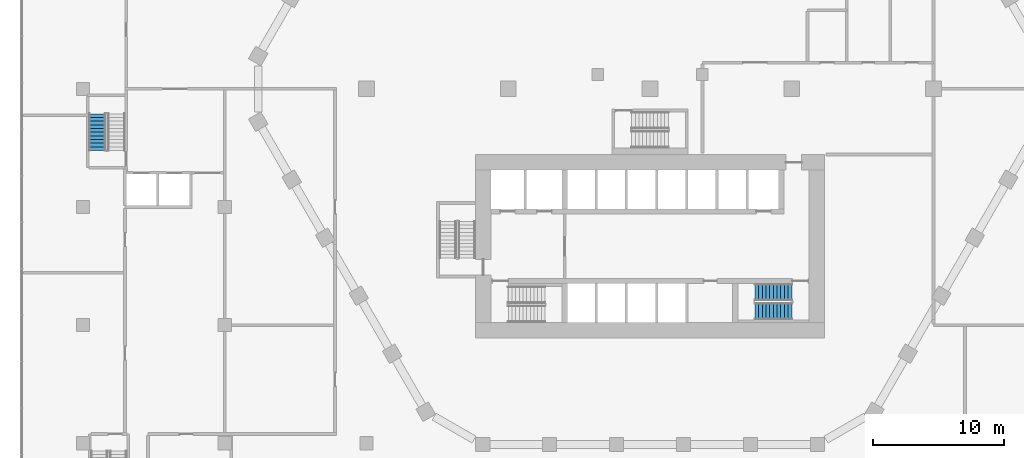
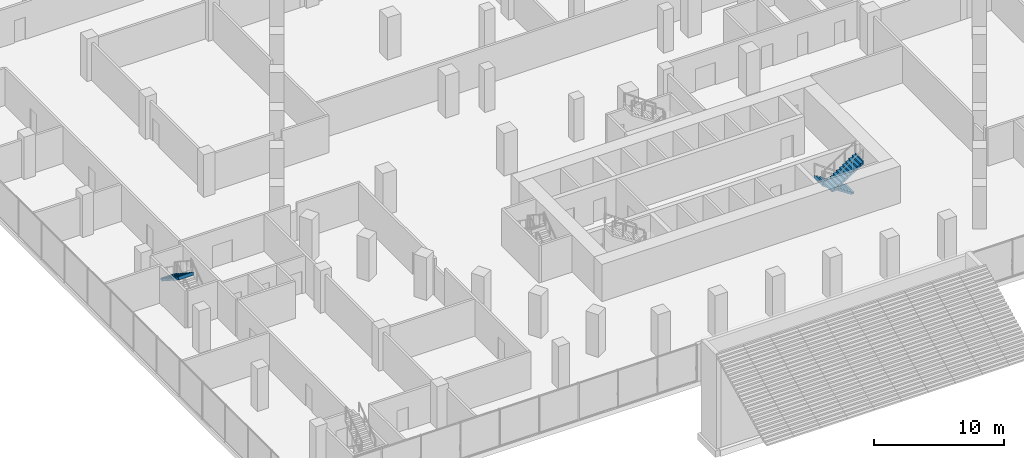
# One storey, part 34 of 45: 3 stair flights, 2 elements without a shape of their own.
"""IFC4 building model written with IfcOpenShell, lengths in metres."""

from ifc_helpers import new_model, si_unit, direction, frame, origin, place, context, subcontext, project, spatial, triangles, material, type_object, element, aggregate, save


model = new_model("IFC4")

# Units and contexts
model_context = context("Model", 3, precision=1e-05, world=origin(), true_north=direction((0.0, 1.0)))
body_context = subcontext(model_context, "Body", "Model", "MODEL_VIEW")
ifc_project = project(units=[si_unit("LENGTHUNIT", "METRE"), si_unit("AREAUNIT", "SQUARE_METRE"), si_unit("VOLUMEUNIT", "CUBIC_METRE"), si_unit("PLANEANGLEUNIT", "RADIAN"), si_unit("MASSUNIT", "GRAM", prefix="KILO")], contexts=[model_context])

# Site, building, storey
site_placement = place(None, origin())
site = spatial("IfcSite", under=ifc_project, at=site_placement, CompositionType="ELEMENT")
building_placement = place(site_placement, origin())
building = spatial("IfcBuilding", under=site, at=building_placement, Name="Beryl Residences", CompositionType="ELEMENT")
storey_placement = place(building_placement, frame((0.0, 0.0, 5.0)))
storey = spatial("IfcBuildingStorey", under=building, at=storey_placement, Name="L01", CompositionType="ELEMENT", Elevation=5.0)

# Stair, stair flight
ifc_material_1 = material(Name="Concrete C40/50", Category="concrete")
stair_type = type_object("IfcStairType", Name="ST1 protected exit stair, half-turn, 1300 mm flights", PredefinedType="HALF_TURN_STAIR", material=ifc_material_1)
stair_1_placement = place(storey_placement, origin())
stair_1 = element("IfcStair", 1, at=stair_1_placement, inside=storey, type_object=stair_type, Name="L01 Podium exit stair 6", PredefinedType="HALF_TURN_STAIR")
ifc_material_2 = material(Name="Concrete C40/50", Category="concrete")
stair_flight_type = type_object("IfcStairFlightType", Name="SF1 stair flight 1300 mm", PredefinedType="STRAIGHT", material=ifc_material_2)
stair_flight_1_placement = place(storey_placement, frame((-42.10009765625, -1.89990234375, 2.0), z_axis=(0.0, 0.0, 1.0), x_axis=(0.0, -1.0, 0.0)))
stair_flight_1 = element("IfcStairFlight", 2, at=stair_flight_1_placement, type_object=stair_flight_type, Name="PS-6 flight 2", NumberOfRisers=11, NumberOfTreads=10, PredefinedType="STRAIGHT", RiserHeight=0.181818182, TreadLength=0.28, context=body_context, shape_type="Tessellation", body=[
    triangles([(0.0, -0.64990234375, 0.0), (0.0, -0.324951171875, 0.0), (0.0, 0.0, 0.0), (0.0, 0.324951171875, 0.0), (0.0, 0.64990234375, 0.0), (0.0, -0.64990234375, 0.181884765625), (0.0, -0.324951171875, 0.181884765625), (0.0, 0.0, 0.181884765625), (0.0, 0.324951171875, 0.181884765625), (0.0, 0.64990234375, 0.181884765625), (0.280029296875, -0.64990234375, 0.181884765625), (0.280029296875, -0.324951171875, 0.181884765625), (0.280029296875, 0.0, 0.181884765625), (0.280029296875, 0.324951171875, 0.181884765625), (0.280029296875, 0.64990234375, 0.181884765625), (0.280029296875, -0.64990234375, 0.363525390625), (0.280029296875, -0.324951171875, 0.363525390625), (0.280029296875, 0.0, 0.363525390625), (0.280029296875, 0.324951171875, 0.363525390625), (0.280029296875, 0.64990234375, 0.363525390625), (0.56005859375, -0.64990234375, 0.363525390625), (0.56005859375, -0.324951171875, 0.363525390625), (0.56005859375, 0.0, 0.363525390625), (0.56005859375, 0.324951171875, 0.363525390625), (0.56005859375, 0.64990234375, 0.363525390625), (0.56005859375, -0.64990234375, 0.54541015625), (0.56005859375, -0.324951171875, 0.54541015625), (0.56005859375, 0.0, 0.54541015625), (0.56005859375, 0.324951171875, 0.54541015625), (0.56005859375, 0.64990234375, 0.54541015625), (0.840087890625, -0.64990234375, 0.54541015625), (0.840087890625, -0.324951171875, 0.54541015625), (0.840087890625, 0.0, 0.54541015625), (0.840087890625, 0.324951171875, 0.54541015625), (0.840087890625, 0.64990234375, 0.54541015625), (0.840087890625, -0.64990234375, 0.727294921875), (0.840087890625, -0.324951171875, 0.727294921875), (0.840087890625, 0.0, 0.727294921875), (0.840087890625, 0.324951171875, 0.727294921875), (0.840087890625, 0.64990234375, 0.727294921875), (1.1201171875, -0.64990234375, 0.727294921875), (1.1201171875, -0.324951171875, 0.727294921875), (1.1201171875, 0.0, 0.727294921875), (1.1201171875, 0.324951171875, 0.727294921875), (1.1201171875, 0.64990234375, 0.727294921875), (1.1201171875, -0.64990234375, 0.9091796875), (1.1201171875, -0.324951171875, 0.9091796875), (1.1201171875, 0.0, 0.9091796875), (1.1201171875, 0.324951171875, 0.9091796875), (1.1201171875, 0.64990234375, 0.9091796875), (1.39990234375, -0.64990234375, 0.9091796875), (1.39990234375, -0.324951171875, 0.9091796875), (1.39990234375, 0.0, 0.9091796875), (1.39990234375, 0.324951171875, 0.9091796875), (1.39990234375, 0.64990234375, 0.9091796875), (1.39990234375, -0.64990234375, 1.0908203125), (1.39990234375, -0.324951171875, 1.0908203125), (1.39990234375, 0.0, 1.0908203125), (1.39990234375, 0.324951171875, 1.0908203125), (1.39990234375, 0.64990234375, 1.0908203125), (1.679931640625, -0.64990234375, 1.0908203125), (1.679931640625, -0.324951171875, 1.0908203125), (1.679931640625, 0.0, 1.0908203125), (1.679931640625, 0.324951171875, 1.0908203125), (1.679931640625, 0.64990234375, 1.0908203125), (1.679931640625, -0.64990234375, 1.272705078125), (1.679931640625, -0.324951171875, 1.272705078125), (1.679931640625, 0.0, 1.272705078125), (1.679931640625, 0.324951171875, 1.272705078125), (1.679931640625, 0.64990234375, 1.272705078125), (1.9599609375, -0.64990234375, 1.272705078125), (1.9599609375, -0.324951171875, 1.272705078125), (1.9599609375, 0.0, 1.272705078125), (1.9599609375, 0.324951171875, 1.272705078125), (1.9599609375, 0.64990234375, 1.272705078125), (1.9599609375, -0.64990234375, 1.45458984375), (1.9599609375, -0.324951171875, 1.45458984375), (1.9599609375, 0.0, 1.45458984375), (1.9599609375, 0.324951171875, 1.45458984375), (1.9599609375, 0.64990234375, 1.45458984375), (2.239990234375, -0.64990234375, 1.45458984375), (2.239990234375, -0.324951171875, 1.45458984375), (2.239990234375, 0.0, 1.45458984375), (2.239990234375, 0.324951171875, 1.45458984375), (2.239990234375, 0.64990234375, 1.45458984375), (2.239990234375, -0.64990234375, 1.636474609375), (2.239990234375, -0.324951171875, 1.636474609375), (2.239990234375, 0.0, 1.636474609375), (2.239990234375, 0.324951171875, 1.636474609375), (2.239990234375, 0.64990234375, 1.636474609375), (2.52001953125, -0.64990234375, 1.636474609375), (2.52001953125, -0.324951171875, 1.636474609375), (2.52001953125, 0.0, 1.636474609375), (2.52001953125, 0.324951171875, 1.636474609375), (2.52001953125, 0.64990234375, 1.636474609375), (2.52001953125, -0.64990234375, 1.818115234375), (2.52001953125, -0.324951171875, 1.818115234375), (2.52001953125, 0.0, 1.818115234375), (2.52001953125, 0.324951171875, 1.818115234375), (2.52001953125, 0.64990234375, 1.818115234375), (2.800048828125, -0.64990234375, 1.818115234375), (2.800048828125, -0.324951171875, 1.818115234375), (2.800048828125, 0.0, 1.818115234375), (2.800048828125, 0.324951171875, 1.818115234375), (2.800048828125, 0.64990234375, 1.818115234375), (2.800048828125, -0.64990234375, 2.0), (2.800048828125, -0.324951171875, 2.0), (2.800048828125, 0.0, 2.0), (2.800048828125, 0.324951171875, 2.0), (2.800048828125, 0.64990234375, 2.0), (2.801025390625, -0.64990234375, 2.0), (2.801025390625, -0.324951171875, 2.0), (2.801025390625, 0.0, 2.0), (2.801025390625, 0.324951171875, 2.0), (2.801025390625, 0.64990234375, 2.0), (2.801025390625, -0.64990234375, 1.675048828125), (2.801025390625, -0.324951171875, 1.675048828125), (2.801025390625, 0.0, 1.675048828125), (2.801025390625, 0.324951171875, 1.675048828125), (2.801025390625, 0.64990234375, 1.675048828125), (0.221435546875, -0.64990234375, 0.0), (0.221435546875, -0.324951171875, 0.0), (0.221435546875, 0.0, 0.0), (0.221435546875, 0.324951171875, 0.0), (0.221435546875, 0.64990234375, 0.0)], [[1, 6, 7], [1, 7, 2], [2, 7, 8], [2, 8, 3], [3, 8, 9], [3, 9, 4], [4, 9, 10], [4, 10, 5], [6, 11, 12], [6, 12, 7], [7, 12, 13], [7, 13, 8], [8, 13, 14], [8, 14, 9], [9, 14, 15], [9, 15, 10], [11, 16, 17], [11, 17, 12], [12, 17, 18], [12, 18, 13], [13, 18, 19], [13, 19, 14], [14, 19, 20], [14, 20, 15], [16, 21, 22], [16, 22, 17], [17, 22, 23], [17, 23, 18], [18, 23, 24], [18, 24, 19], [19, 24, 25], [19, 25, 20], [21, 26, 27], [21, 27, 22], [22, 27, 28], [22, 28, 23], [23, 28, 29], [23, 29, 24], [24, 29, 30], [24, 30, 25], [26, 31, 32], [26, 32, 27], [27, 32, 33], [27, 33, 28], [28, 33, 34], [28, 34, 29], [29, 34, 35], [29, 35, 30], [31, 36, 37], [31, 37, 32], [32, 37, 38], [32, 38, 33], [33, 38, 39], [33, 39, 34], [34, 39, 40], [34, 40, 35], [36, 41, 42], [36, 42, 37], [37, 42, 43], [37, 43, 38], [38, 43, 44], [38, 44, 39], [39, 44, 45], [39, 45, 40], [41, 46, 47], [41, 47, 42], [42, 47, 48], [42, 48, 43], [43, 48, 49], [43, 49, 44], [44, 49, 50], [44, 50, 45], [46, 51, 52], [46, 52, 47], [47, 52, 53], [47, 53, 48], [48, 53, 54], [48, 54, 49], [49, 54, 55], [49, 55, 50], [51, 56, 57], [51, 57, 52], [52, 57, 58], [52, 58, 53], [53, 58, 59], [53, 59, 54], [54, 59, 60], [54, 60, 55], [56, 61, 62], [56, 62, 57], [57, 62, 63], [57, 63, 58], [58, 63, 64], [58, 64, 59], [59, 64, 65], [59, 65, 60], [61, 66, 67], [61, 67, 62], [62, 67, 68], [62, 68, 63], [63, 68, 69], [63, 69, 64], [64, 69, 70], [64, 70, 65], [66, 71, 72], [66, 72, 67], [67, 72, 73], [67, 73, 68], [68, 73, 74], [68, 74, 69], [69, 74, 75], [69, 75, 70], [71, 76, 77], [71, 77, 72], [72, 77, 78], [72, 78, 73], [73, 78, 79], [73, 79, 74], [74, 79, 80], [74, 80, 75], [76, 81, 82], [76, 82, 77], [77, 82, 83], [77, 83, 78], [78, 83, 84], [78, 84, 79], [79, 84, 85], [79, 85, 80], [81, 86, 87], [81, 87, 82], [82, 87, 88], [82, 88, 83], [83, 88, 89], [83, 89, 84], [84, 89, 90], [84, 90, 85], [86, 91, 92], [86, 92, 87], [87, 92, 93], [87, 93, 88], [88, 93, 94], [88, 94, 89], [89, 94, 95], [89, 95, 90], [91, 96, 97], [91, 97, 92], [92, 97, 98], [92, 98, 93], [93, 98, 99], [93, 99, 94], [94, 99, 100], [94, 100, 95], [96, 101, 102], [96, 102, 97], [97, 102, 103], [97, 103, 98], [98, 103, 104], [98, 104, 99], [99, 104, 105], [99, 105, 100], [101, 106, 107], [101, 107, 102], [102, 107, 108], [102, 108, 103], [103, 108, 109], [103, 109, 104], [104, 109, 110], [104, 110, 105], [106, 111, 112], [106, 112, 107], [107, 112, 113], [107, 113, 108], [108, 113, 114], [108, 114, 109], [109, 114, 115], [109, 115, 110], [111, 116, 117], [111, 117, 112], [112, 117, 118], [112, 118, 113], [113, 118, 119], [113, 119, 114], [114, 119, 120], [114, 120, 115], [116, 121, 122], [116, 122, 117], [117, 122, 123], [117, 123, 118], [118, 123, 124], [118, 124, 119], [119, 124, 125], [119, 125, 120], [121, 1, 2], [121, 2, 122], [122, 2, 3], [122, 3, 123], [123, 3, 4], [123, 4, 124], [124, 4, 5], [124, 5, 125], [1, 121, 116], [5, 120, 125], [116, 111, 106], [120, 110, 115], [116, 106, 101], [120, 105, 110], [116, 101, 96], [120, 100, 105], [116, 96, 91], [120, 95, 100], [91, 86, 81], [95, 85, 90], [116, 91, 81], [120, 85, 95], [81, 76, 71], [85, 75, 80], [116, 81, 71], [120, 75, 85], [71, 66, 61], [75, 65, 70], [116, 71, 61], [120, 65, 75], [61, 56, 51], [65, 55, 60], [116, 61, 51], [120, 55, 65], [51, 46, 41], [55, 45, 50], [116, 51, 41], [120, 45, 55], [41, 36, 31], [45, 35, 40], [116, 41, 31], [120, 35, 45], [31, 26, 21], [35, 25, 30], [116, 31, 21], [120, 25, 35], [1, 116, 21], [5, 25, 120], [21, 16, 11], [25, 15, 20], [1, 21, 11], [5, 15, 25], [11, 6, 1], [15, 5, 10]], closed=True),
])
aggregate(stair_1, [stair_flight_1])

# Stair, stair flights
stair_2_placement = place(storey_placement, origin())
stair_2 = element("IfcStair", 3, at=stair_2_placement, inside=storey, type_object=stair_type, Name="L01 PROTECTED EXIT STAIR ST-3", PredefinedType="HALF_TURN_STAIR")
stair_flight_2_placement = place(storey_placement, frame((10.800048828125, -15.5, 0.0), z_axis=(0.0, 0.0, 1.0), x_axis=(-1.0, 0.0, 0.0)))
stair_flight_2 = element("IfcStairFlight", 4, at=stair_flight_2_placement, type_object=stair_flight_type, Name="ST-3 flight 1", NumberOfRisers=11, NumberOfTreads=10, PredefinedType="STRAIGHT", RiserHeight=0.181818182, TreadLength=0.28, context=body_context, shape_type="Tessellation", body=[
    triangles([(0.0, -0.64990234375, 0.0), (0.0, -0.324951171875, 0.0), (0.0, 0.0, 0.0), (0.0, 0.324951171875, 0.0), (0.0, 0.64990234375, 0.0), (0.0, -0.64990234375, 0.181884765625), (0.0, -0.324951171875, 0.181884765625), (0.0, 0.0, 0.181884765625), (0.0, 0.324951171875, 0.181884765625), (0.0, 0.64990234375, 0.181884765625), (0.280029296875, -0.64990234375, 0.181884765625), (0.280029296875, -0.324951171875, 0.181884765625), (0.280029296875, 0.0, 0.181884765625), (0.280029296875, 0.324951171875, 0.181884765625), (0.280029296875, 0.64990234375, 0.181884765625), (0.280029296875, -0.64990234375, 0.363525390625), (0.280029296875, -0.324951171875, 0.363525390625), (0.280029296875, 0.0, 0.363525390625), (0.280029296875, 0.324951171875, 0.363525390625), (0.280029296875, 0.64990234375, 0.363525390625), (0.56005859375, -0.64990234375, 0.363525390625), (0.56005859375, -0.324951171875, 0.363525390625), (0.56005859375, 0.0, 0.363525390625), (0.56005859375, 0.324951171875, 0.363525390625), (0.56005859375, 0.64990234375, 0.363525390625), (0.56005859375, -0.64990234375, 0.54541015625), (0.56005859375, -0.324951171875, 0.54541015625), (0.56005859375, 0.0, 0.54541015625), (0.56005859375, 0.324951171875, 0.54541015625), (0.56005859375, 0.64990234375, 0.54541015625), (0.840087890625, -0.64990234375, 0.54541015625), (0.840087890625, -0.324951171875, 0.54541015625), (0.840087890625, 0.0, 0.54541015625), (0.840087890625, 0.324951171875, 0.54541015625), (0.840087890625, 0.64990234375, 0.54541015625), (0.840087890625, -0.64990234375, 0.727294921875), (0.840087890625, -0.324951171875, 0.727294921875), (0.840087890625, 0.0, 0.727294921875), (0.840087890625, 0.324951171875, 0.727294921875), (0.840087890625, 0.64990234375, 0.727294921875), (1.1201171875, -0.64990234375, 0.727294921875), (1.1201171875, -0.324951171875, 0.727294921875), (1.1201171875, 0.0, 0.727294921875), (1.1201171875, 0.324951171875, 0.727294921875), (1.1201171875, 0.64990234375, 0.727294921875), (1.1201171875, -0.64990234375, 0.9091796875), (1.1201171875, -0.324951171875, 0.9091796875), (1.1201171875, 0.0, 0.9091796875), (1.1201171875, 0.324951171875, 0.9091796875), (1.1201171875, 0.64990234375, 0.9091796875), (1.39990234375, -0.64990234375, 0.9091796875), (1.39990234375, -0.324951171875, 0.9091796875), (1.39990234375, 0.0, 0.9091796875), (1.39990234375, 0.324951171875, 0.9091796875), (1.39990234375, 0.64990234375, 0.9091796875), (1.39990234375, -0.64990234375, 1.0908203125), (1.39990234375, -0.324951171875, 1.0908203125), (1.39990234375, 0.0, 1.0908203125), (1.39990234375, 0.324951171875, 1.0908203125), (1.39990234375, 0.64990234375, 1.0908203125), (1.679931640625, -0.64990234375, 1.0908203125), (1.679931640625, -0.324951171875, 1.0908203125), (1.679931640625, 0.0, 1.0908203125), (1.679931640625, 0.324951171875, 1.0908203125), (1.679931640625, 0.64990234375, 1.0908203125), (1.679931640625, -0.64990234375, 1.272705078125), (1.679931640625, -0.324951171875, 1.272705078125), (1.679931640625, 0.0, 1.272705078125), (1.679931640625, 0.324951171875, 1.272705078125), (1.679931640625, 0.64990234375, 1.272705078125), (1.9599609375, -0.64990234375, 1.272705078125), (1.9599609375, -0.324951171875, 1.272705078125), (1.9599609375, 0.0, 1.272705078125), (1.9599609375, 0.324951171875, 1.272705078125), (1.9599609375, 0.64990234375, 1.272705078125), (1.9599609375, -0.64990234375, 1.45458984375), (1.9599609375, -0.324951171875, 1.45458984375), (1.9599609375, 0.0, 1.45458984375), (1.9599609375, 0.324951171875, 1.45458984375), (1.9599609375, 0.64990234375, 1.45458984375), (2.239990234375, -0.64990234375, 1.45458984375), (2.239990234375, -0.324951171875, 1.45458984375), (2.239990234375, 0.0, 1.45458984375), (2.239990234375, 0.324951171875, 1.45458984375), (2.239990234375, 0.64990234375, 1.45458984375), (2.239990234375, -0.64990234375, 1.636474609375), (2.239990234375, -0.324951171875, 1.636474609375), (2.239990234375, 0.0, 1.636474609375), (2.239990234375, 0.324951171875, 1.636474609375), (2.239990234375, 0.64990234375, 1.636474609375), (2.52001953125, -0.64990234375, 1.636474609375), (2.52001953125, -0.324951171875, 1.636474609375), (2.52001953125, 0.0, 1.636474609375), (2.52001953125, 0.324951171875, 1.636474609375), (2.52001953125, 0.64990234375, 1.636474609375), (2.52001953125, -0.64990234375, 1.818115234375), (2.52001953125, -0.324951171875, 1.818115234375), (2.52001953125, 0.0, 1.818115234375), (2.52001953125, 0.324951171875, 1.818115234375), (2.52001953125, 0.64990234375, 1.818115234375), (2.800048828125, -0.64990234375, 1.818115234375), (2.800048828125, -0.324951171875, 1.818115234375), (2.800048828125, 0.0, 1.818115234375), (2.800048828125, 0.324951171875, 1.818115234375), (2.800048828125, 0.64990234375, 1.818115234375), (2.800048828125, -0.64990234375, 2.0), (2.800048828125, -0.324951171875, 2.0), (2.800048828125, 0.0, 2.0), (2.800048828125, 0.324951171875, 2.0), (2.800048828125, 0.64990234375, 2.0), (2.801025390625, -0.64990234375, 2.0), (2.801025390625, -0.324951171875, 2.0), (2.801025390625, 0.0, 2.0), (2.801025390625, 0.324951171875, 2.0), (2.801025390625, 0.64990234375, 2.0), (2.801025390625, -0.64990234375, 1.675048828125), (2.801025390625, -0.324951171875, 1.675048828125), (2.801025390625, 0.0, 1.675048828125), (2.801025390625, 0.324951171875, 1.675048828125), (2.801025390625, 0.64990234375, 1.675048828125), (0.221435546875, -0.64990234375, 0.0), (0.221435546875, -0.324951171875, 0.0), (0.221435546875, 0.0, 0.0), (0.221435546875, 0.324951171875, 0.0), (0.221435546875, 0.64990234375, 0.0)], [[1, 6, 7], [1, 7, 2], [2, 7, 8], [2, 8, 3], [3, 8, 9], [3, 9, 4], [4, 9, 10], [4, 10, 5], [6, 11, 12], [6, 12, 7], [7, 12, 13], [7, 13, 8], [8, 13, 14], [8, 14, 9], [9, 14, 15], [9, 15, 10], [11, 16, 17], [11, 17, 12], [12, 17, 18], [12, 18, 13], [13, 18, 19], [13, 19, 14], [14, 19, 20], [14, 20, 15], [16, 21, 22], [16, 22, 17], [17, 22, 23], [17, 23, 18], [18, 23, 24], [18, 24, 19], [19, 24, 25], [19, 25, 20], [21, 26, 27], [21, 27, 22], [22, 27, 28], [22, 28, 23], [23, 28, 29], [23, 29, 24], [24, 29, 30], [24, 30, 25], [26, 31, 32], [26, 32, 27], [27, 32, 33], [27, 33, 28], [28, 33, 34], [28, 34, 29], [29, 34, 35], [29, 35, 30], [31, 36, 37], [31, 37, 32], [32, 37, 38], [32, 38, 33], [33, 38, 39], [33, 39, 34], [34, 39, 40], [34, 40, 35], [36, 41, 42], [36, 42, 37], [37, 42, 43], [37, 43, 38], [38, 43, 44], [38, 44, 39], [39, 44, 45], [39, 45, 40], [41, 46, 47], [41, 47, 42], [42, 47, 48], [42, 48, 43], [43, 48, 49], [43, 49, 44], [44, 49, 50], [44, 50, 45], [46, 51, 52], [46, 52, 47], [47, 52, 53], [47, 53, 48], [48, 53, 54], [48, 54, 49], [49, 54, 55], [49, 55, 50], [51, 56, 57], [51, 57, 52], [52, 57, 58], [52, 58, 53], [53, 58, 59], [53, 59, 54], [54, 59, 60], [54, 60, 55], [56, 61, 62], [56, 62, 57], [57, 62, 63], [57, 63, 58], [58, 63, 64], [58, 64, 59], [59, 64, 65], [59, 65, 60], [61, 66, 67], [61, 67, 62], [62, 67, 68], [62, 68, 63], [63, 68, 69], [63, 69, 64], [64, 69, 70], [64, 70, 65], [66, 71, 72], [66, 72, 67], [67, 72, 73], [67, 73, 68], [68, 73, 74], [68, 74, 69], [69, 74, 75], [69, 75, 70], [71, 76, 77], [71, 77, 72], [72, 77, 78], [72, 78, 73], [73, 78, 79], [73, 79, 74], [74, 79, 80], [74, 80, 75], [76, 81, 82], [76, 82, 77], [77, 82, 83], [77, 83, 78], [78, 83, 84], [78, 84, 79], [79, 84, 85], [79, 85, 80], [81, 86, 87], [81, 87, 82], [82, 87, 88], [82, 88, 83], [83, 88, 89], [83, 89, 84], [84, 89, 90], [84, 90, 85], [86, 91, 92], [86, 92, 87], [87, 92, 93], [87, 93, 88], [88, 93, 94], [88, 94, 89], [89, 94, 95], [89, 95, 90], [91, 96, 97], [91, 97, 92], [92, 97, 98], [92, 98, 93], [93, 98, 99], [93, 99, 94], [94, 99, 100], [94, 100, 95], [96, 101, 102], [96, 102, 97], [97, 102, 103], [97, 103, 98], [98, 103, 104], [98, 104, 99], [99, 104, 105], [99, 105, 100], [101, 106, 107], [101, 107, 102], [102, 107, 108], [102, 108, 103], [103, 108, 109], [103, 109, 104], [104, 109, 110], [104, 110, 105], [106, 111, 112], [106, 112, 107], [107, 112, 113], [107, 113, 108], [108, 113, 114], [108, 114, 109], [109, 114, 115], [109, 115, 110], [111, 116, 117], [111, 117, 112], [112, 117, 118], [112, 118, 113], [113, 118, 119], [113, 119, 114], [114, 119, 120], [114, 120, 115], [116, 121, 122], [116, 122, 117], [117, 122, 123], [117, 123, 118], [118, 123, 124], [118, 124, 119], [119, 124, 125], [119, 125, 120], [121, 1, 2], [121, 2, 122], [122, 2, 3], [122, 3, 123], [123, 3, 4], [123, 4, 124], [124, 4, 5], [124, 5, 125], [1, 121, 116], [5, 120, 125], [116, 111, 106], [120, 110, 115], [116, 106, 101], [120, 105, 110], [116, 101, 96], [120, 100, 105], [116, 96, 91], [120, 95, 100], [91, 86, 81], [95, 85, 90], [116, 91, 81], [120, 85, 95], [81, 76, 71], [85, 75, 80], [116, 81, 71], [120, 75, 85], [71, 66, 61], [75, 65, 70], [116, 71, 61], [120, 65, 75], [61, 56, 51], [65, 55, 60], [116, 61, 51], [120, 55, 65], [51, 46, 41], [55, 45, 50], [116, 51, 41], [120, 45, 55], [41, 36, 31], [45, 35, 40], [116, 41, 31], [120, 35, 45], [31, 26, 21], [35, 25, 30], [116, 31, 21], [120, 25, 35], [1, 116, 21], [5, 25, 120], [21, 16, 11], [25, 15, 20], [1, 21, 11], [5, 15, 25], [11, 6, 1], [15, 5, 10]], closed=True),
])
stair_flight_3_placement = place(storey_placement, frame((8.0, -16.949951171875, 2.0), z_axis=(0.0, 0.0, 1.0), x_axis=(1.0, 0.0, 0.0)))
stair_flight_3 = element("IfcStairFlight", 5, at=stair_flight_3_placement, type_object=stair_flight_type, Name="ST-3 flight 2", NumberOfRisers=11, NumberOfTreads=10, PredefinedType="STRAIGHT", RiserHeight=0.181818182, TreadLength=0.28, context=body_context, shape_type="Tessellation", body=[
    triangles([(0.0, -0.64990234375, 0.0), (0.0, -0.324951171875, 0.0), (0.0, 0.0, 0.0), (0.0, 0.324951171875, 0.0), (0.0, 0.64990234375, 0.0), (0.0, -0.64990234375, 0.181884765625), (0.0, -0.324951171875, 0.181884765625), (0.0, 0.0, 0.181884765625), (0.0, 0.324951171875, 0.181884765625), (0.0, 0.64990234375, 0.181884765625), (0.280029296875, -0.64990234375, 0.181884765625), (0.280029296875, -0.324951171875, 0.181884765625), (0.280029296875, 0.0, 0.181884765625), (0.280029296875, 0.324951171875, 0.181884765625), (0.280029296875, 0.64990234375, 0.181884765625), (0.280029296875, -0.64990234375, 0.363525390625), (0.280029296875, -0.324951171875, 0.363525390625), (0.280029296875, 0.0, 0.363525390625), (0.280029296875, 0.324951171875, 0.363525390625), (0.280029296875, 0.64990234375, 0.363525390625), (0.56005859375, -0.64990234375, 0.363525390625), (0.56005859375, -0.324951171875, 0.363525390625), (0.56005859375, 0.0, 0.363525390625), (0.56005859375, 0.324951171875, 0.363525390625), (0.56005859375, 0.64990234375, 0.363525390625), (0.56005859375, -0.64990234375, 0.54541015625), (0.56005859375, -0.324951171875, 0.54541015625), (0.56005859375, 0.0, 0.54541015625), (0.56005859375, 0.324951171875, 0.54541015625), (0.56005859375, 0.64990234375, 0.54541015625), (0.840087890625, -0.64990234375, 0.54541015625), (0.840087890625, -0.324951171875, 0.54541015625), (0.840087890625, 0.0, 0.54541015625), (0.840087890625, 0.324951171875, 0.54541015625), (0.840087890625, 0.64990234375, 0.54541015625), (0.840087890625, -0.64990234375, 0.727294921875), (0.840087890625, -0.324951171875, 0.727294921875), (0.840087890625, 0.0, 0.727294921875), (0.840087890625, 0.324951171875, 0.727294921875), (0.840087890625, 0.64990234375, 0.727294921875), (1.1201171875, -0.64990234375, 0.727294921875), (1.1201171875, -0.324951171875, 0.727294921875), (1.1201171875, 0.0, 0.727294921875), (1.1201171875, 0.324951171875, 0.727294921875), (1.1201171875, 0.64990234375, 0.727294921875), (1.1201171875, -0.64990234375, 0.9091796875), (1.1201171875, -0.324951171875, 0.9091796875), (1.1201171875, 0.0, 0.9091796875), (1.1201171875, 0.324951171875, 0.9091796875), (1.1201171875, 0.64990234375, 0.9091796875), (1.39990234375, -0.64990234375, 0.9091796875), (1.39990234375, -0.324951171875, 0.9091796875), (1.39990234375, 0.0, 0.9091796875), (1.39990234375, 0.324951171875, 0.9091796875), (1.39990234375, 0.64990234375, 0.9091796875), (1.39990234375, -0.64990234375, 1.0908203125), (1.39990234375, -0.324951171875, 1.0908203125), (1.39990234375, 0.0, 1.0908203125), (1.39990234375, 0.324951171875, 1.0908203125), (1.39990234375, 0.64990234375, 1.0908203125), (1.679931640625, -0.64990234375, 1.0908203125), (1.679931640625, -0.324951171875, 1.0908203125), (1.679931640625, 0.0, 1.0908203125), (1.679931640625, 0.324951171875, 1.0908203125), (1.679931640625, 0.64990234375, 1.0908203125), (1.679931640625, -0.64990234375, 1.272705078125), (1.679931640625, -0.324951171875, 1.272705078125), (1.679931640625, 0.0, 1.272705078125), (1.679931640625, 0.324951171875, 1.272705078125), (1.679931640625, 0.64990234375, 1.272705078125), (1.9599609375, -0.64990234375, 1.272705078125), (1.9599609375, -0.324951171875, 1.272705078125), (1.9599609375, 0.0, 1.272705078125), (1.9599609375, 0.324951171875, 1.272705078125), (1.9599609375, 0.64990234375, 1.272705078125), (1.9599609375, -0.64990234375, 1.45458984375), (1.9599609375, -0.324951171875, 1.45458984375), (1.9599609375, 0.0, 1.45458984375), (1.9599609375, 0.324951171875, 1.45458984375), (1.9599609375, 0.64990234375, 1.45458984375), (2.239990234375, -0.64990234375, 1.45458984375), (2.239990234375, -0.324951171875, 1.45458984375), (2.239990234375, 0.0, 1.45458984375), (2.239990234375, 0.324951171875, 1.45458984375), (2.239990234375, 0.64990234375, 1.45458984375), (2.239990234375, -0.64990234375, 1.636474609375), (2.239990234375, -0.324951171875, 1.636474609375), (2.239990234375, 0.0, 1.636474609375), (2.239990234375, 0.324951171875, 1.636474609375), (2.239990234375, 0.64990234375, 1.636474609375), (2.52001953125, -0.64990234375, 1.636474609375), (2.52001953125, -0.324951171875, 1.636474609375), (2.52001953125, 0.0, 1.636474609375), (2.52001953125, 0.324951171875, 1.636474609375), (2.52001953125, 0.64990234375, 1.636474609375), (2.52001953125, -0.64990234375, 1.818115234375), (2.52001953125, -0.324951171875, 1.818115234375), (2.52001953125, 0.0, 1.818115234375), (2.52001953125, 0.324951171875, 1.818115234375), (2.52001953125, 0.64990234375, 1.818115234375), (2.800048828125, -0.64990234375, 1.818115234375), (2.800048828125, -0.324951171875, 1.818115234375), (2.800048828125, 0.0, 1.818115234375), (2.800048828125, 0.324951171875, 1.818115234375), (2.800048828125, 0.64990234375, 1.818115234375), (2.800048828125, -0.64990234375, 2.0), (2.800048828125, -0.324951171875, 2.0), (2.800048828125, 0.0, 2.0), (2.800048828125, 0.324951171875, 2.0), (2.800048828125, 0.64990234375, 2.0), (2.801025390625, -0.64990234375, 2.0), (2.801025390625, -0.324951171875, 2.0), (2.801025390625, 0.0, 2.0), (2.801025390625, 0.324951171875, 2.0), (2.801025390625, 0.64990234375, 2.0), (2.801025390625, -0.64990234375, 1.675048828125), (2.801025390625, -0.324951171875, 1.675048828125), (2.801025390625, 0.0, 1.675048828125), (2.801025390625, 0.324951171875, 1.675048828125), (2.801025390625, 0.64990234375, 1.675048828125), (0.221435546875, -0.64990234375, 0.0), (0.221435546875, -0.324951171875, 0.0), (0.221435546875, 0.0, 0.0), (0.221435546875, 0.324951171875, 0.0), (0.221435546875, 0.64990234375, 0.0)], [[1, 6, 7], [1, 7, 2], [2, 7, 8], [2, 8, 3], [3, 8, 9], [3, 9, 4], [4, 9, 10], [4, 10, 5], [6, 11, 12], [6, 12, 7], [7, 12, 13], [7, 13, 8], [8, 13, 14], [8, 14, 9], [9, 14, 15], [9, 15, 10], [11, 16, 17], [11, 17, 12], [12, 17, 18], [12, 18, 13], [13, 18, 19], [13, 19, 14], [14, 19, 20], [14, 20, 15], [16, 21, 22], [16, 22, 17], [17, 22, 23], [17, 23, 18], [18, 23, 24], [18, 24, 19], [19, 24, 25], [19, 25, 20], [21, 26, 27], [21, 27, 22], [22, 27, 28], [22, 28, 23], [23, 28, 29], [23, 29, 24], [24, 29, 30], [24, 30, 25], [26, 31, 32], [26, 32, 27], [27, 32, 33], [27, 33, 28], [28, 33, 34], [28, 34, 29], [29, 34, 35], [29, 35, 30], [31, 36, 37], [31, 37, 32], [32, 37, 38], [32, 38, 33], [33, 38, 39], [33, 39, 34], [34, 39, 40], [34, 40, 35], [36, 41, 42], [36, 42, 37], [37, 42, 43], [37, 43, 38], [38, 43, 44], [38, 44, 39], [39, 44, 45], [39, 45, 40], [41, 46, 47], [41, 47, 42], [42, 47, 48], [42, 48, 43], [43, 48, 49], [43, 49, 44], [44, 49, 50], [44, 50, 45], [46, 51, 52], [46, 52, 47], [47, 52, 53], [47, 53, 48], [48, 53, 54], [48, 54, 49], [49, 54, 55], [49, 55, 50], [51, 56, 57], [51, 57, 52], [52, 57, 58], [52, 58, 53], [53, 58, 59], [53, 59, 54], [54, 59, 60], [54, 60, 55], [56, 61, 62], [56, 62, 57], [57, 62, 63], [57, 63, 58], [58, 63, 64], [58, 64, 59], [59, 64, 65], [59, 65, 60], [61, 66, 67], [61, 67, 62], [62, 67, 68], [62, 68, 63], [63, 68, 69], [63, 69, 64], [64, 69, 70], [64, 70, 65], [66, 71, 72], [66, 72, 67], [67, 72, 73], [67, 73, 68], [68, 73, 74], [68, 74, 69], [69, 74, 75], [69, 75, 70], [71, 76, 77], [71, 77, 72], [72, 77, 78], [72, 78, 73], [73, 78, 79], [73, 79, 74], [74, 79, 80], [74, 80, 75], [76, 81, 82], [76, 82, 77], [77, 82, 83], [77, 83, 78], [78, 83, 84], [78, 84, 79], [79, 84, 85], [79, 85, 80], [81, 86, 87], [81, 87, 82], [82, 87, 88], [82, 88, 83], [83, 88, 89], [83, 89, 84], [84, 89, 90], [84, 90, 85], [86, 91, 92], [86, 92, 87], [87, 92, 93], [87, 93, 88], [88, 93, 94], [88, 94, 89], [89, 94, 95], [89, 95, 90], [91, 96, 97], [91, 97, 92], [92, 97, 98], [92, 98, 93], [93, 98, 99], [93, 99, 94], [94, 99, 100], [94, 100, 95], [96, 101, 102], [96, 102, 97], [97, 102, 103], [97, 103, 98], [98, 103, 104], [98, 104, 99], [99, 104, 105], [99, 105, 100], [101, 106, 107], [101, 107, 102], [102, 107, 108], [102, 108, 103], [103, 108, 109], [103, 109, 104], [104, 109, 110], [104, 110, 105], [106, 111, 112], [106, 112, 107], [107, 112, 113], [107, 113, 108], [108, 113, 114], [108, 114, 109], [109, 114, 115], [109, 115, 110], [111, 116, 117], [111, 117, 112], [112, 117, 118], [112, 118, 113], [113, 118, 119], [113, 119, 114], [114, 119, 120], [114, 120, 115], [116, 121, 122], [116, 122, 117], [117, 122, 123], [117, 123, 118], [118, 123, 124], [118, 124, 119], [119, 124, 125], [119, 125, 120], [121, 1, 2], [121, 2, 122], [122, 2, 3], [122, 3, 123], [123, 3, 4], [123, 4, 124], [124, 4, 5], [124, 5, 125], [1, 121, 116], [5, 120, 125], [116, 111, 106], [120, 110, 115], [116, 106, 101], [120, 105, 110], [116, 101, 96], [120, 100, 105], [116, 96, 91], [120, 95, 100], [91, 86, 81], [95, 85, 90], [116, 91, 81], [120, 85, 95], [81, 76, 71], [85, 75, 80], [116, 81, 71], [120, 75, 85], [71, 66, 61], [75, 65, 70], [116, 71, 61], [120, 65, 75], [61, 56, 51], [65, 55, 60], [116, 61, 51], [120, 55, 65], [51, 46, 41], [55, 45, 50], [116, 51, 41], [120, 45, 55], [41, 36, 31], [45, 35, 40], [116, 41, 31], [120, 35, 45], [31, 26, 21], [35, 25, 30], [116, 31, 21], [120, 25, 35], [1, 116, 21], [5, 25, 120], [21, 16, 11], [25, 15, 20], [1, 21, 11], [5, 15, 25], [11, 6, 1], [15, 5, 10]], closed=True),
])
aggregate(stair_2, [stair_flight_2, stair_flight_3])

save(model, "model.ifc")
